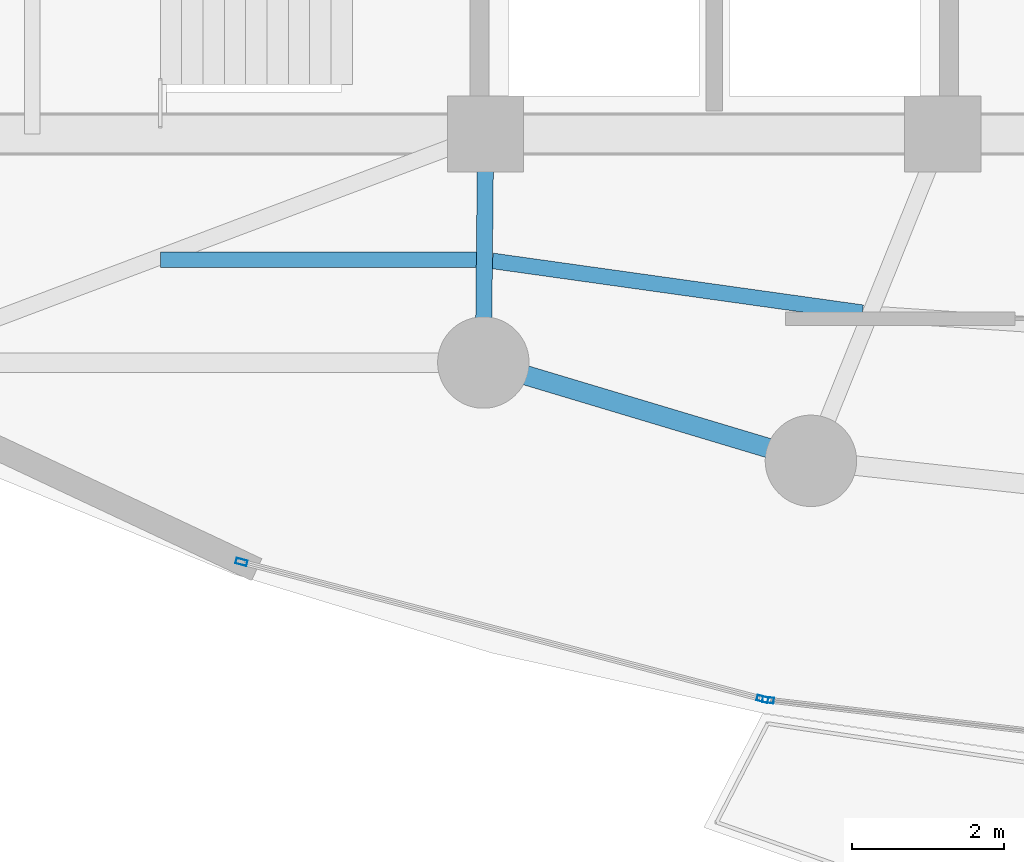
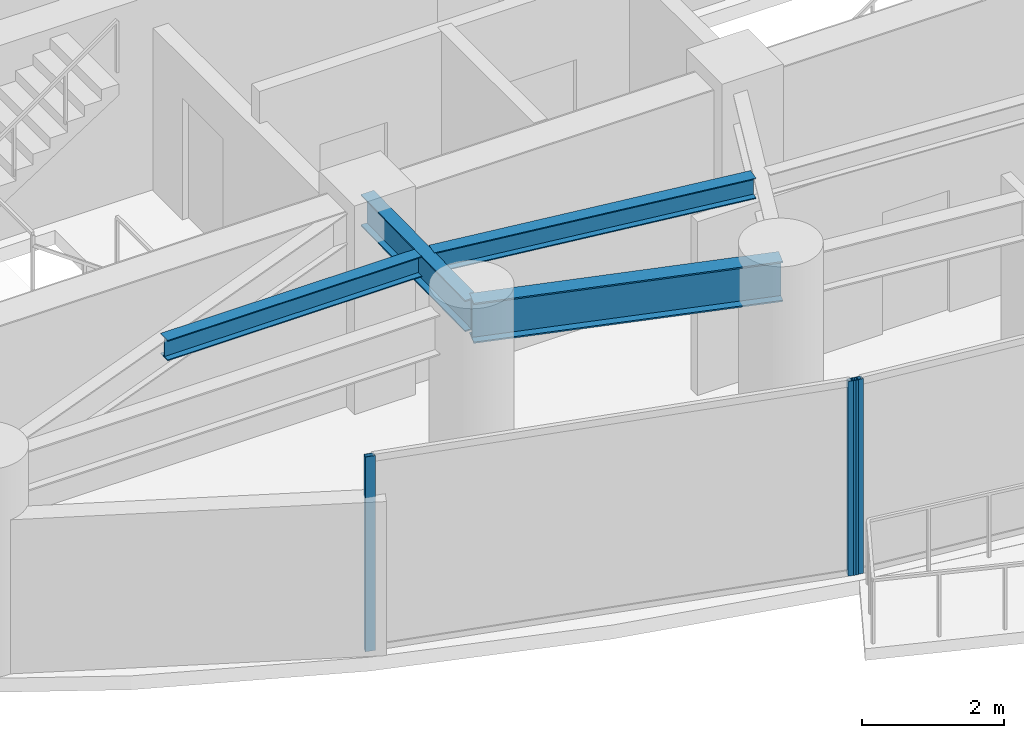
# One storey, part 5 of 33: 4 beams, 3 members, 2 elements without a shape of their own.
"""IFC4 building model written with IfcOpenShell, lengths in metres."""

from ifc_helpers import new_model, si_unit, direction, frame, origin, origin_2d, place, context, subcontext, project, spatial, hollow_rectangle, i_section, extrude, material, layer, layer_set, material_profile, profile_set, type_object, element, aggregate, save


model = new_model("IFC4")

# Units and contexts
model_context = context("Model", 3, precision=1e-05, world=origin(), true_north=direction((0.0, 1.0)))
body_context = subcontext(model_context, "Body", "Model", "MODEL_VIEW")
ifc_project = project(units=[si_unit("LENGTHUNIT", "METRE"), si_unit("AREAUNIT", "SQUARE_METRE"), si_unit("VOLUMEUNIT", "CUBIC_METRE"), si_unit("PLANEANGLEUNIT", "RADIAN"), si_unit("MASSUNIT", "GRAM", prefix="KILO")], contexts=[model_context])

# Site, building, storey
site_placement = place(None, origin())
site = spatial("IfcSite", under=ifc_project, at=site_placement, CompositionType="ELEMENT")
building_placement = place(site_placement, origin())
building = spatial("IfcBuilding", under=site, at=building_placement, Name="Kazevale Care Tower and Concert Hall", CompositionType="ELEMENT")
storey_placement = place(building_placement, frame((0.0, 0.0, 153.0)))
storey = spatial("IfcBuildingStorey", under=building, at=storey_placement, Name="L40", CompositionType="ELEMENT", Elevation=153.0)

# Curtain wall, member
ifc_material_1 = material(Name="Aluminium 6063-T6 and Low-E Glass", Category="aluminium")
ifc_layer = layer(ifc_material_1, 0.179931640625)
ifc_layer_set = layer_set([ifc_layer], Name="Aluminium 6063-T6 and Low-E Glass")
curtain_wall_type = type_object("IfcCurtainWallType", Name="Sheltered Concave Balcony Curtain Wall CW-5", PredefinedType="NOTDEFINED", material=ifc_layer_set)
curtain_wall_1_placement = place(storey_placement, origin())
curtain_wall_1 = element("IfcCurtainWall", 1, at=curtain_wall_1_placement, inside=storey, type_object=curtain_wall_type, Name="cw:L40:f07", PredefinedType="NOTDEFINED")
ifc_material_2 = material(Name="Aluminium 6063-T6", Category="aluminium")
ifc_material_profile_1 = material_profile(ifc_material_2, hollow_rectangle(XDim=0.074951171875, YDim=0.14990234375, WallThickness=0.00390625, at=origin_2d()), Name="ALU75x150x4")
ifc_profile_set_1 = profile_set([ifc_material_profile_1], Name="Aluminium 6063-T6")
member_type = type_object("IfcMemberType", Name="CW-5 Mullion ALU75x150x4", PredefinedType="MULLION", material=ifc_profile_set_1)
member_1_placement = place(storey_placement, frame((33.708251953125, 16.169677734375, 0.0), z_axis=(0.0, 0.0, 1.0), x_axis=(-0.117372179238, -0.993087997884, 0.0)))
member_1 = element("IfcMember", 2, at=member_1_placement, type_object=member_type, Name="CW-5 mullion 2", PredefinedType="MULLION", context=body_context, shape_type="SweptSolid", body=[
    extrude(hollow_rectangle(XDim=0.074951171875, YDim=0.14990234375, WallThickness=0.00390625, at=origin_2d()), origin(), (0.0, 0.0, 1.0), 3.360107421875),
])
aggregate(curtain_wall_1, [member_1])

# Curtain wall, members
curtain_wall_2_placement = place(storey_placement, origin())
curtain_wall_2 = element("IfcCurtainWall", 3, at=curtain_wall_2_placement, inside=storey, type_object=curtain_wall_type, Name="cw:L40:f08", PredefinedType="NOTDEFINED")
member_2_placement = place(storey_placement, frame((33.634765625, 16.18359375, 0.0), z_axis=(0.0, 0.0, 1.0), x_axis=(-0.254238458229, -0.967141564797, 0.0)))
member_2 = element("IfcMember", 4, at=member_2_placement, type_object=member_type, Name="CW-5 mullion 1", PredefinedType="MULLION", context=body_context, shape_type="SweptSolid", body=[
    extrude(hollow_rectangle(XDim=0.074951171875, YDim=0.14990234375, WallThickness=0.00390625, at=origin_2d()), origin(), (0.0, 0.0, 1.0), 3.360107421875),
])
member_3_placement = place(storey_placement, frame((26.795166015625, 17.9814453125, 0.0), z_axis=(0.0, 0.0, 1.0), x_axis=(-0.254238458229, -0.967141564797, 0.0)))
member_3 = element("IfcMember", 5, at=member_3_placement, type_object=member_type, Name="CW-5 mullion 2", PredefinedType="MULLION", context=body_context, shape_type="SweptSolid", body=[
    extrude(hollow_rectangle(XDim=0.074951171875, YDim=0.14990234375, WallThickness=0.00390625, at=origin_2d()), origin(), (0.0, 0.0, 1.0), 3.360107421875),
])
aggregate(curtain_wall_2, [member_2, member_3])

# Beams
ifc_material_3 = material(Name="Steel ASTM A572 Gr 50", Category="steel")
ifc_material_profile_2 = material_profile(ifc_material_3, i_section(OverallWidth=0.2119140625, OverallDepth=0.5439453125, WebThickness=0.01318359375, FlangeThickness=0.021240234375, at=origin_2d()), Name="W530x123")
ifc_profile_set_2 = profile_set([ifc_material_profile_2], Name="Steel ASTM A572 Gr 50")
beam_type_1 = type_object("IfcBeamType", Name="Radial Floor Girder W530x123", PredefinedType="BEAM", material=ifc_profile_set_2)
beam_1_placement = place(storey_placement, frame((30.0, 23.60009765625, 3.087890625), z_axis=(-0.010009264196, -0.99994990606, 0.0), x_axis=(0.99994990606, -0.010009264196, 0.0)))
element("IfcBeam", 6, at=beam_1_placement, inside=storey, type_object=beam_type_1, Name="beam:L40:rad:11", PredefinedType="BEAM", context=body_context, shape_type="SweptSolid", body=[
    extrude(i_section(OverallWidth=0.2119140625, OverallDepth=0.5439453125, WebThickness=0.01318359375, FlangeThickness=0.021240234375, at=origin_2d()), origin(), (0.0, 0.0, 1.0), 3.000244140625),
])
ifc_material_profile_3 = material_profile(ifc_material_3, i_section(OverallWidth=0.205078125, OverallDepth=0.35400390625, WebThickness=0.009521484375, FlangeThickness=0.016845703125, at=origin_2d()), Name="W360x79")
ifc_profile_set_3 = profile_set([ifc_material_profile_3], Name="Steel ASTM A572 Gr 50")
beam_type_2 = type_object("IfcBeamType", Name="Secondary Floor Joist W360x79", PredefinedType="JOIST", material=ifc_profile_set_3)
beam_2_placement = place(storey_placement, frame((25.73291015625, 21.949951171875, 3.18310546875), z_axis=(1.0, 0.0, 0.0), x_axis=(0.0, 1.0, 0.0)))
element("IfcBeam", 7, at=beam_2_placement, inside=storey, type_object=beam_type_2, Name="beam:L40:joist:10", PredefinedType="JOIST", context=body_context, shape_type="SweptSolid", body=[
    extrude(i_section(OverallWidth=0.205078125, OverallDepth=0.35400390625, WebThickness=0.009521484375, FlangeThickness=0.016845703125, at=origin_2d()), origin(), (0.0, 0.0, 1.0), 4.14501953125),
])
beam_3_placement = place(storey_placement, frame((30.0869140625, 21.93505859375, 3.18310546875), z_axis=(0.990340789942, -0.138654678164, 0.0), x_axis=(0.138654678164, 0.990340789942, 0.0)))
element("IfcBeam", 8, at=beam_3_placement, inside=storey, type_object=beam_type_2, Name="beam:L40:joist:11", PredefinedType="JOIST", context=body_context, shape_type="SweptSolid", body=[
    extrude(i_section(OverallWidth=0.205078125, OverallDepth=0.35400390625, WebThickness=0.009521484375, FlangeThickness=0.016845703125, at=origin_2d()), origin(), (0.0, 0.0, 1.0), 4.905517578125),
])
ifc_material_profile_4 = material_profile(ifc_material_3, i_section(OverallWidth=0.256103515625, OverallDepth=0.693115234375, WebThickness=0.014404296875, FlangeThickness=0.023681640625, at=origin_2d()), Name="W690x170")
ifc_profile_set_4 = profile_set([ifc_material_profile_4], Name="Steel ASTM A572 Gr 50")
beam_type_3 = type_object("IfcBeamType", Name="Waist Ring Beam W690x170", PredefinedType="BEAM", material=ifc_profile_set_4)
beam_4_placement = place(storey_placement, frame((29.969970703125, 20.60009765625, 3.013427734375), z_axis=(0.957824788464, -0.287352874709, 0.0), x_axis=(0.287352874709, 0.957824788464, 0.0)))
element("IfcBeam", 9, at=beam_4_placement, inside=storey, type_object=beam_type_3, Name="beam:L40:ring:11", PredefinedType="BEAM", context=body_context, shape_type="SweptSolid", body=[
    extrude(i_section(OverallWidth=0.256103515625, OverallDepth=0.693115234375, WebThickness=0.014404296875, FlangeThickness=0.023681640625, at=origin_2d()), origin(), (0.0, 0.0, 1.0), 4.489501953125),
])

save(model, "model.ifc")
